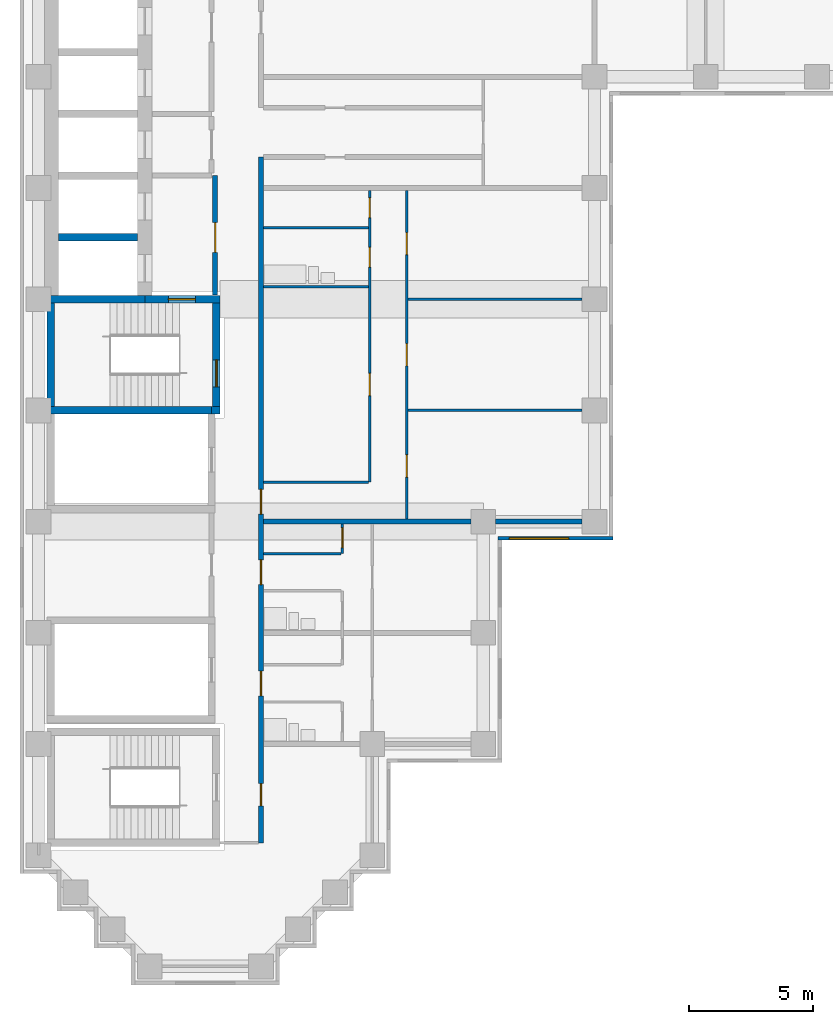
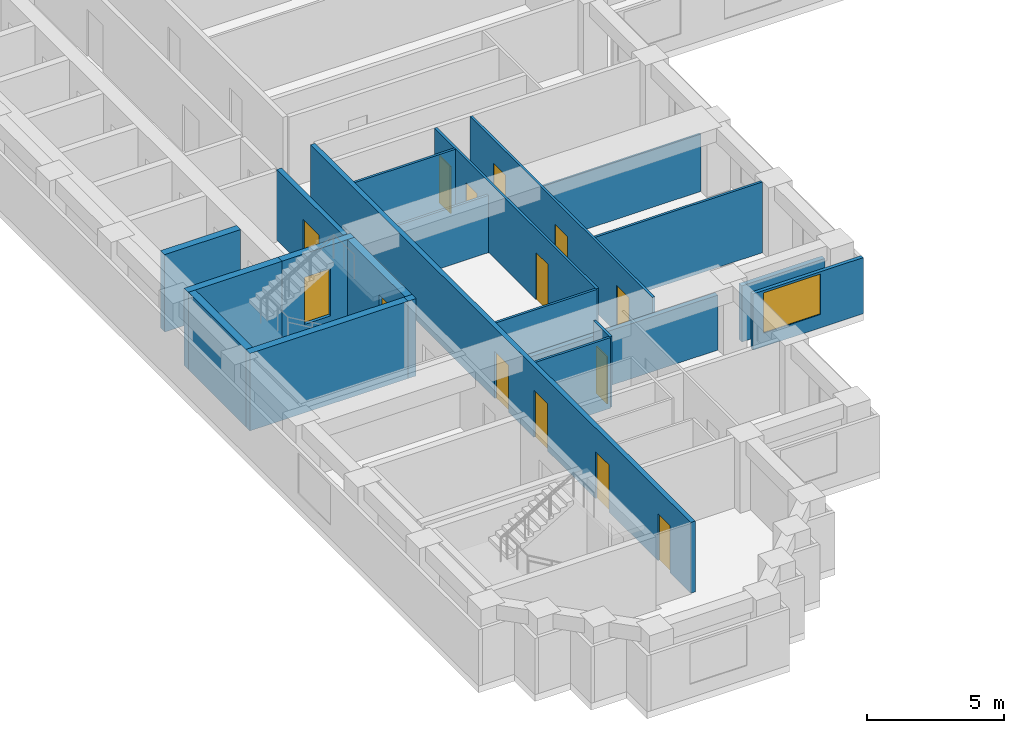
# One storey, part 3 of 12: 21 walls, 14 doors, 1 window, 15 openings.
"""IFC4 building model written with IfcOpenShell, lengths in metres."""

import ifcopenshell
import ifcopenshell.guid

model = None  # the IFC model being written
_history = None  # IfcOwnerHistory: only IFC2X3 demands one
_inside = {}  # id of a spatial element -> (the spatial element, [elements in it])
_under = {}  # id of a project, library or spatial element -> (it, [spatial elements below it])
_declared = {}  # id of a project -> (the project, [libraries it declares])
_typed = {}  # id of a type object -> (the type object, [elements of that type])
_made_of = {}  # id of a material, layer set ... -> (it, [elements and type objects made of it])


def new_model(schema):
    """Start an empty IFC model of exactly this schema.

    Asked for "IFC4X3", IfcOpenShell would pick the latest addendum, in which some entities
    have other attributes; the version numbers below select the first issue.
    IFC2X3 requires an IfcOwnerHistory on every rooted entity: one is made here for all.
    """
    global model, _history
    if schema == "IFC4X3":
        model = ifcopenshell.file(schema_version=(4, 3, 0, 0))
    else:
        model = ifcopenshell.file(schema=schema)
    _inside.clear()
    _under.clear()
    _declared.clear()
    _typed.clear()
    _made_of.clear()
    _history = None
    if model.schema == "IFC2X3":
        org = make("IfcOrganization", Name="unknown")
        user = make(
            "IfcPersonAndOrganization",
            ThePerson=make("IfcPerson", FamilyName="unknown"),
            TheOrganization=org,
        )
        app = make(
            "IfcApplication",
            ApplicationDeveloper=org,
            Version="unknown",
            ApplicationFullName="unknown",
            ApplicationIdentifier="unknown",
        )
        _history = make(
            "IfcOwnerHistory",
            OwningUser=user,
            OwningApplication=app,
            ChangeAction="ADDED",
            CreationDate=0,
        )
    return model


def make(cls, **values):
    """One entity of the class cls with the attributes given. An attribute that is None is left unset."""
    return model.create_entity(
        cls, **{name: value for name, value in values.items() if value is not None}
    )


def rooted(cls, **values):
    """An entity with a GlobalId (a new one), such as an element, a storey or a relation."""
    return make(cls, GlobalId=ifcopenshell.guid.new(), OwnerHistory=_history, **values)


def si_unit(unit_type, name, prefix=None):
    """IfcSIUnit, for example si_unit("LENGTHUNIT", "METRE", prefix="MILLI")."""
    return make("IfcSIUnit", UnitType=unit_type, Prefix=prefix, Name=name)


def assignment(units):
    """IfcUnitAssignment: the units of a project."""
    return None if units is None else make("IfcUnitAssignment", Units=units)


def point(xyz):
    """IfcCartesianPoint."""
    return None if xyz is None else make("IfcCartesianPoint", Coordinates=xyz)


def direction(xyz):
    """IfcDirection."""
    return None if xyz is None else make("IfcDirection", DirectionRatios=xyz)


def frame(location, z_axis=None, x_axis=None):
    """IfcAxis2Placement3D, a coordinate frame: its origin and axes. An axis left out is left unset."""
    return make(
        "IfcAxis2Placement3D",
        Location=point(location),
        Axis=direction(z_axis),
        RefDirection=direction(x_axis),
    )


def frame_2d(location, x_axis=None):
    """IfcAxis2Placement2D, a coordinate frame in the plane: its origin and x axis."""
    return make(
        "IfcAxis2Placement2D", Location=point(location), RefDirection=direction(x_axis)
    )


def origin():
    """The frame at (0, 0, 0) with its axes left unset."""
    return frame((0.0, 0.0, 0.0))


def place(relative_to, where):
    """IfcLocalPlacement: puts the frame where relative to a parent placement (None: the world)."""
    return make(
        "IfcLocalPlacement", PlacementRelTo=relative_to, RelativePlacement=where
    )


def context(
    kind, dimensions, precision=None, world=None, true_north=None, identifier=None
):
    """IfcGeometricRepresentationContext, for example the 3D "Model" context."""
    return make(
        "IfcGeometricRepresentationContext",
        ContextIdentifier=identifier,
        ContextType=kind,
        CoordinateSpaceDimension=dimensions,
        Precision=precision,
        WorldCoordinateSystem=world,
        TrueNorth=true_north,
    )


def subcontext(parent, identifier, kind, view, scale=None):
    """IfcGeometricRepresentationSubContext, for example "Body" below "Model"."""
    return make(
        "IfcGeometricRepresentationSubContext",
        ContextIdentifier=identifier,
        ContextType=kind,
        ParentContext=parent,
        TargetScale=scale,
        TargetView=view,
    )


def project(units=None, contexts=None):
    """IfcProject with its units and contexts."""
    return rooted(
        "IfcProject",
        Name="project",
        RepresentationContexts=contexts,
        UnitsInContext=assignment(units),
    )


def spatial(cls, under=None, at=None, **own):
    """A site, building, storey or space (cls), placed at a placement, below another one or the project."""
    s = rooted(cls, ObjectPlacement=at, **own)
    if under is not None:
        _under.setdefault(under.id(), (under, []))[1].append(s)
    return s


def profile(cls, at=None, kind="AREA", **sizes):
    """A parametric profile (cls). Its sizes go by their IFC names, for example OverallWidth=200.0."""
    return make(cls, ProfileType=kind, Position=at, **sizes)


def rectangle(**sizes):
    """IfcRectangleProfileDef."""
    return profile("IfcRectangleProfileDef", **sizes)


def extrude(swept, where, along, depth):
    """IfcExtrudedAreaSolid: the profile swept, set in the frame where, extruded along a direction by depth."""
    return make(
        "IfcExtrudedAreaSolid",
        SweptArea=swept,
        Position=where,
        ExtrudedDirection=direction(along),
        Depth=depth,
    )


def shape(context_of_items, identifier, shape_type, items):
    """IfcShapeRepresentation: the items that make up one representation, for example the "Body"."""
    return make(
        "IfcShapeRepresentation",
        ContextOfItems=context_of_items,
        RepresentationIdentifier=identifier,
        RepresentationType=shape_type,
        Items=items,
    )


def material(Name=None, Category=None):
    """IfcMaterial."""
    return make("IfcMaterial", Name=Name, Category=Category)


def layer(
    of_material, thickness, ventilated=None, Name=None, Category=None, Priority=None
):
    """IfcMaterialLayer: one layer of a wall or slab, of a material (None: an air gap)."""
    return make(
        "IfcMaterialLayer",
        Material=of_material,
        LayerThickness=thickness,
        IsVentilated=ventilated,
        Name=Name,
        Category=Category,
        Priority=Priority,
    )


def layer_set(layers, Name=None):
    """IfcMaterialLayerSet."""
    return make("IfcMaterialLayerSet", MaterialLayers=layers, LayerSetName=Name)


def made_of(thing, what):
    """Note that an element or type object is made of a material, layer set ...; save() writes the relation."""
    if what is not None:
        _made_of.setdefault(what.id(), (what, []))[1].append(thing)
    return thing


def type_object(cls, material=None, **own):
    """A type object (cls), such as IfcWallType, which elements share."""
    return made_of(rooted(cls, **own), material)


def element(
    cls,
    number,
    at=None,
    inside=None,
    cuts=None,
    type_object=None,
    material=None,
    context=None,
    identifier="Body",
    shape_type=None,
    held_by="IfcProductDefinitionShape",
    body=None,
    shapes=None,
    **own,
):
    """One element of the class cls, such as IfcWall. Its Tag is "e" and its number.

    at: its placement. inside: the storey or other place that contains it. cuts: it is an
    opening in that element (IfcRelVoidsElement). A single representation is given by context,
    identifier, shape_type and body (its items); several are given by shapes. held_by: the class
    of the entity that holds the representations. save() writes the other relations.
    """
    e = rooted(cls, Tag="e%d" % number, ObjectPlacement=at, **own)
    if body is not None:
        shapes = [shape(context, identifier, shape_type, body)]
    if shapes is not None:
        e.Representation = make(held_by, Representations=shapes)
    if inside is not None:
        _inside.setdefault(inside.id(), (inside, []))[1].append(e)
    if cuts is not None:
        rooted(
            "IfcRelVoidsElement", RelatingBuildingElement=cuts, RelatedOpeningElement=e
        )
    if type_object is not None:
        _typed.setdefault(type_object.id(), (type_object, []))[1].append(e)
    return made_of(e, material)


def fill(opening, filler):
    """IfcRelFillsElement: the door or window that sits in an opening."""
    return rooted(
        "IfcRelFillsElement",
        RelatingOpeningElement=opening,
        RelatedBuildingElement=filler,
    )


def aggregate(whole, parts):
    """IfcRelAggregates: a whole, such as a stair, and the parts it consists of."""
    return rooted("IfcRelAggregates", RelatingObject=whole, RelatedObjects=parts)


def save(model, path):
    """Write the relations noted so far, then the file.

    IfcRelAggregates (storeys below a building ...), IfcRelContainedInSpatialStructure (elements
    in a storey), IfcRelDefinesByType, IfcRelAssociatesMaterial and IfcRelDeclares: one each for
    every whole, place, type object, material and project.
    """
    for whole, parts in _under.values():
        aggregate(whole, parts)
    for where, things in _inside.values():
        rooted(
            "IfcRelContainedInSpatialStructure",
            RelatedElements=things,
            RelatingStructure=where,
        )
    for kind, things in _typed.values():
        rooted("IfcRelDefinesByType", RelatedObjects=things, RelatingType=kind)
    for what, things in _made_of.values():
        rooted("IfcRelAssociatesMaterial", RelatedObjects=things, RelatingMaterial=what)
    for by, libraries in _declared.values():
        rooted("IfcRelDeclares", RelatingContext=by, RelatedDefinitions=libraries)
    model.write(path)


model = new_model("IFC4")

# Units and contexts
model_context = context("Model", 3, precision=1e-05, world=origin(), true_north=direction((0.0, 1.0)))
body_context = subcontext(model_context, "Body", "Model", "MODEL_VIEW")
ifc_project = project(units=[si_unit("LENGTHUNIT", "METRE"), si_unit("AREAUNIT", "SQUARE_METRE"), si_unit("VOLUMEUNIT", "CUBIC_METRE"), si_unit("PLANEANGLEUNIT", "RADIAN"), si_unit("MASSUNIT", "GRAM", prefix="KILO")], contexts=[model_context])

# Site, building, storey
site_placement = place(None, origin())
site = spatial("IfcSite", under=ifc_project, at=site_placement, CompositionType="ELEMENT")
building_placement = place(site_placement, origin())
building = spatial("IfcBuilding", under=site, at=building_placement, Name="Firuza Court", CompositionType="ELEMENT")
storey_placement = place(building_placement, frame((0.0, 0.0, 170.0)))
storey = spatial("IfcBuildingStorey", under=building, at=storey_placement, Name="L43", CompositionType="ELEMENT", Elevation=170.0)

# Walls
ifc_material_1 = material(Name="Moisture-resistant gypsum board partition")
ifc_layer_1 = layer(ifc_material_1, 0.10009765625)
ifc_layer_set_1 = layer_set([ifc_layer_1], Name="Moisture-resistant gypsum board partition")
wall_type_1 = type_object("IfcWallType", Name="Bathroom partition 100", PredefinedType="PLUMBINGWALL", material=ifc_layer_set_1)
wall_1_placement = place(storey_placement, frame((9.10009765625, 27.5, 0.0), z_axis=(0.0, 0.0, 1.0), x_axis=(1.0, 0.0, 0.0)))
element("IfcWall", 1, at=wall_1_placement, inside=storey, type_object=wall_type_1, Name="Bathroom partition 100 L43", PredefinedType="PLUMBINGWALL", context=body_context, shape_type="SweptSolid", body=[
    extrude(rectangle(XDim=4.25, YDim=0.10009765625, at=frame_2d((2.125, 0.0))), origin(), (0.0, 0.0, 1.0), 2.550048828125),
])
wall_2_placement = place(storey_placement, frame((9.10009765625, 29.89990234375, 0.0), z_axis=(0.0, 0.0, 1.0), x_axis=(1.0, 0.0, 0.0)))
element("IfcWall", 2, at=wall_2_placement, inside=storey, type_object=wall_type_1, Name="Bathroom partition 100 L43", PredefinedType="PLUMBINGWALL", context=body_context, shape_type="SweptSolid", body=[
    extrude(rectangle(XDim=4.25, YDim=0.10009765625, at=frame_2d((2.125, 0.0))), origin(), (0.0, 0.0, 1.0), 3.14990234375),
])
ifc_material_2 = material(Name="Concrete C60/75", Category="concrete")
ifc_layer_2 = layer(ifc_material_2, 0.300048828125)
ifc_layer_set_2 = layer_set([ifc_layer_2], Name="Concrete C60/75")
wall_type_2 = type_object("IfcWallType", Name="Core wall 300 C60/75", PredefinedType="SHEAR", material=ifc_layer_set_2)
wall_3_placement = place(storey_placement, frame((0.35009765625, 22.5, -0.300048828125), z_axis=(0.0, 0.0, 1.0), x_axis=(1.0, 0.0, 0.0)))
element("IfcWall", 3, at=wall_3_placement, inside=storey, type_object=wall_type_2, Name="Core wall riser L43", PredefinedType="SHEAR", context=body_context, shape_type="SweptSolid", body=[
    extrude(rectangle(XDim=6.64990234375, YDim=0.300048828125, at=frame_2d((3.324951171875, 0.0))), origin(), (0.0, 0.0, 1.0), 3.449951171875),
])
wall_4_placement = place(storey_placement, frame((0.35009765625, 27.0, -0.300048828125), z_axis=(0.0, 0.0, 1.0), x_axis=(1.0, 0.0, 0.0)))
element("IfcWall", 4, at=wall_4_placement, inside=storey, type_object=wall_type_2, Name="Core wall lift shaft L43", PredefinedType="SHEAR", context=body_context, shape_type="SweptSolid", body=[
    extrude(rectangle(XDim=3.949951171875, YDim=0.300048828125, at=frame_2d((1.97509765625, 0.0))), origin(), (0.0, 0.0, 1.0), 3.449951171875),
])
wall_5_placement = place(storey_placement, frame((0.5, 22.64990234375, -0.300048828125), z_axis=(0.0, 0.0, 1.0), x_axis=(0.0, 1.0, 0.0)))
element("IfcWall", 5, at=wall_5_placement, inside=storey, type_object=wall_type_2, Name="Core wall stair L43", PredefinedType="SHEAR", context=body_context, shape_type="SweptSolid", body=[
    extrude(rectangle(XDim=4.2001953125, YDim=0.300048828125, at=frame_2d((2.10009765625, 0.0))), origin(), (0.0, 0.0, 1.0), 3.449951171875),
])
wall_6_placement = place(storey_placement, frame((0.800048828125, 29.5, -0.300048828125), z_axis=(0.0, 0.0, 1.0), x_axis=(1.0, 0.0, 0.0)))
element("IfcWall", 6, at=wall_6_placement, inside=storey, type_object=wall_type_2, Name="Core wall lift shaft L43", PredefinedType="SHEAR", context=body_context, shape_type="SweptSolid", body=[
    extrude(rectangle(XDim=3.199951171875, YDim=0.300048828125, at=frame_2d((1.60009765625, 0.0))), origin(), (0.0, 0.0, 1.0), 3.449951171875),
])

# Wall, opening, door
wall_7_placement = place(storey_placement, frame((4.300048828125, 27.0, -0.300048828125), z_axis=(0.0, 0.0, 1.0), x_axis=(1.0, 0.0, 0.0)))
wall_7 = element("IfcWall", 7, at=wall_7_placement, inside=storey, type_object=wall_type_2, Name="Core wall stair L43", PredefinedType="SHEAR", context=body_context, shape_type="SweptSolid", body=[
    extrude(rectangle(XDim=3.050048828125, YDim=0.300048828125, at=frame_2d((1.52490234375, 0.0))), origin(), (0.0, 0.0, 1.0), 3.449951171875),
])
opening_1_placement = place(wall_7_placement, frame((0.949951171875, 0.0, 0.300048828125)))
opening_1 = element("IfcOpeningElement", 8, at=opening_1_placement, cuts=wall_7, Name="Opening D43013", PredefinedType="OPENING", context=body_context, shape_type="SweptSolid", body=[
    extrude(rectangle(XDim=1.10009765625, YDim=2.10009765625, at=frame_2d((0.550048828125, 1.050048828125))), frame((0.0, 0.162109375, 0.0), z_axis=(0.0, -1.0, 0.0), x_axis=(1.0, 0.0, 0.0)), (0.0, 0.0, 1.0), 0.323974609375),
])
ifc_material_3 = material(Name="Timber door leaf in hardwood frame", Category="wood")
door_type_1 = type_object("IfcDoorType", Name="Stair door 1100", OperationType="SINGLE_SWING_LEFT", PredefinedType="DOOR", material=ifc_material_3)
door_1_placement = place(opening_1_placement, frame((1.10009765625, 0.0, 0.0), z_axis=(0.0, 0.0, 1.0), x_axis=(-1.0, 0.0, 0.0)))
door_1 = element("IfcDoor", 9, at=door_1_placement, inside=storey, type_object=door_type_1, Name="Fire-fighting lobby door", OperationType="SINGLE_SWING_LEFT", OverallHeight=2.10009765625, OverallWidth=1.10009765625, PredefinedType="DOOR", context=body_context, shape_type="SweptSolid", body=[
    extrude(rectangle(XDim=1.10009765625, YDim=2.10009765625, at=frame_2d((0.550048828125, 1.050048828125))), frame((0.0, 0.02490234375, 0.0), z_axis=(0.0, -1.0, 0.0), x_axis=(1.0, 0.0, 0.0)), (0.0, 0.0, 1.0), 0.050048828125),
])
fill(opening_1, door_1)

# Wall
wall_8_placement = place(storey_placement, frame((7.0, 22.5, -0.300048828125), z_axis=(0.0, 0.0, 1.0), x_axis=(1.0, 0.0, 0.0)))
element("IfcWall", 10, at=wall_8_placement, inside=storey, type_object=wall_type_2, Name="Core wall stair L43", PredefinedType="SHEAR", context=body_context, shape_type="SweptSolid", body=[
    extrude(rectangle(XDim=0.35009765625, YDim=0.300048828125, at=frame_2d((0.175048828125, 0.0))), origin(), (0.0, 0.0, 1.0), 3.449951171875),
])

# Wall, opening, door
wall_9_placement = place(storey_placement, frame((7.199951171875, 22.64990234375, -0.300048828125), z_axis=(0.0, 0.0, 1.0), x_axis=(0.0, 1.0, 0.0)))
wall_9 = element("IfcWall", 11, at=wall_9_placement, inside=storey, type_object=wall_type_2, Name="Core wall stair L43", PredefinedType="SHEAR", context=body_context, shape_type="SweptSolid", body=[
    extrude(rectangle(XDim=4.2001953125, YDim=0.300048828125, at=frame_2d((2.10009765625, 0.0))), origin(), (0.0, 0.0, 1.0), 3.449951171875),
])
opening_2_placement = place(wall_9_placement, frame((0.800048828125, 0.0, 0.300048828125)))
opening_2 = element("IfcOpeningElement", 12, at=opening_2_placement, cuts=wall_9, Name="Opening D43014", PredefinedType="OPENING", context=body_context, shape_type="SweptSolid", body=[
    extrude(rectangle(XDim=1.10009765625, YDim=2.10009765625, at=frame_2d((0.550048828125, 1.050048828125))), frame((0.0, 0.162109375, 0.0), z_axis=(0.0, -1.0, 0.0), x_axis=(1.0, 0.0, 0.0)), (0.0, 0.0, 1.0), 0.323974609375),
])
door_2_placement = place(opening_2_placement, origin())
door_2 = element("IfcDoor", 13, at=door_2_placement, inside=storey, type_object=door_type_1, Name="Stair door S2", OperationType="SINGLE_SWING_LEFT", OverallHeight=2.10009765625, OverallWidth=1.10009765625, PredefinedType="DOOR", context=body_context, shape_type="SweptSolid", body=[
    extrude(rectangle(XDim=1.10009765625, YDim=2.10009765625, at=frame_2d((0.550048828125, 1.050048828125))), frame((0.0, 0.02490234375, 0.0), z_axis=(0.0, -1.0, 0.0), x_axis=(1.0, 0.0, 0.0)), (0.0, 0.0, 1.0), 0.050048828125),
])
fill(opening_2, door_2)

# Wall, openings, doors
ifc_material_4 = material(Name="Blockwork, plastered both sides", Category="masonry")
ifc_layer_3 = layer(ifc_material_4, 0.199951171875)
ifc_layer_set_3 = layer_set([ifc_layer_3], Name="Blockwork, plastered both sides")
wall_type_3 = type_object("IfcWallType", Name="Corridor wall 200", PredefinedType="PARTITIONING", material=ifc_layer_set_3)
wall_10_placement = place(storey_placement, frame((9.0, 5.0, 0.0), z_axis=(0.0, 0.0, 1.0), x_axis=(0.0, 1.0, 0.0)))
wall_10 = element("IfcWall", 14, at=wall_10_placement, inside=storey, type_object=wall_type_3, Name="Corridor wall 200 L43", PredefinedType="PARTITIONING", context=body_context, shape_type="SweptSolid", body=[
    extrude(rectangle(XDim=27.75, YDim=0.199951171875, at=frame_2d((13.875, 0.0))), origin(), (0.0, 0.0, 1.0), 3.14990234375),
])
opening_3_placement = place(wall_10_placement, frame((13.300048828125, 0.0, 0.0)))
opening_3 = element("IfcOpeningElement", 15, at=opening_3_placement, cuts=wall_10, Name="Opening D43018", PredefinedType="OPENING", context=body_context, shape_type="SweptSolid", body=[
    extrude(rectangle(XDim=1.0, YDim=2.10009765625, at=frame_2d((0.5, 1.050048828125))), frame((0.0, 0.11181640625, 0.0), z_axis=(0.0, -1.0, 0.0), x_axis=(1.0, 0.0, 0.0)), (0.0, 0.0, 1.0), 0.223876953125),
])
opening_4_placement = place(wall_10_placement, frame((10.449951171875, 0.0, 0.0)))
opening_4 = element("IfcOpeningElement", 16, at=opening_4_placement, cuts=wall_10, Name="Opening D43019", PredefinedType="OPENING", context=body_context, shape_type="SweptSolid", body=[
    extrude(rectangle(XDim=1.0, YDim=2.10009765625, at=frame_2d((0.5, 1.050048828125))), frame((0.0, 0.11181640625, 0.0), z_axis=(0.0, -1.0, 0.0), x_axis=(1.0, 0.0, 0.0)), (0.0, 0.0, 1.0), 0.223876953125),
])
opening_5_placement = place(wall_10_placement, frame((5.949951171875, 0.0, 0.0)))
opening_5 = element("IfcOpeningElement", 17, at=opening_5_placement, cuts=wall_10, Name="Opening D43020", PredefinedType="OPENING", context=body_context, shape_type="SweptSolid", body=[
    extrude(rectangle(XDim=1.0, YDim=2.10009765625, at=frame_2d((0.5, 1.050048828125))), frame((0.0, 0.11181640625, 0.0), z_axis=(0.0, -1.0, 0.0), x_axis=(1.0, 0.0, 0.0)), (0.0, 0.0, 1.0), 0.223876953125),
])
opening_6_placement = place(wall_10_placement, frame((1.5, 0.0, 0.0)))
opening_6 = element("IfcOpeningElement", 18, at=opening_6_placement, cuts=wall_10, Name="Opening D43021", PredefinedType="OPENING", context=body_context, shape_type="SweptSolid", body=[
    extrude(rectangle(XDim=0.89990234375, YDim=2.10009765625, at=frame_2d((0.449951171875, 1.050048828125))), frame((0.0, 0.11181640625, 0.0), z_axis=(0.0, -1.0, 0.0), x_axis=(1.0, 0.0, 0.0)), (0.0, 0.0, 1.0), 0.223876953125),
])
ifc_material_5 = material(Name="Timber door leaf in hardwood frame", Category="wood")
door_type_2 = type_object("IfcDoorType", Name="Flat entrance door 1000", OperationType="SINGLE_SWING_LEFT", PredefinedType="DOOR", material=ifc_material_5)
door_3_placement = place(opening_3_placement, origin())
door_3 = element("IfcDoor", 19, at=door_3_placement, inside=storey, type_object=door_type_2, Name="Flat entrance door", OperationType="SINGLE_SWING_LEFT", OverallHeight=2.10009765625, OverallWidth=1.0, PredefinedType="DOOR", context=body_context, shape_type="SweptSolid", body=[
    extrude(rectangle(XDim=1.0, YDim=2.10009765625, at=frame_2d((0.5, 1.050048828125))), frame((0.0, 0.02490234375, 0.0), z_axis=(0.0, -1.0, 0.0), x_axis=(1.0, 0.0, 0.0)), (0.0, 0.0, 1.0), 0.050048828125),
])
fill(opening_3, door_3)
door_4_placement = place(opening_4_placement, origin())
door_4 = element("IfcDoor", 20, at=door_4_placement, inside=storey, type_object=door_type_2, Name="Flat entrance door", OperationType="SINGLE_SWING_LEFT", OverallHeight=2.10009765625, OverallWidth=1.0, PredefinedType="DOOR", context=body_context, shape_type="SweptSolid", body=[
    extrude(rectangle(XDim=1.0, YDim=2.10009765625, at=frame_2d((0.5, 1.050048828125))), frame((0.0, 0.02490234375, 0.0), z_axis=(0.0, -1.0, 0.0), x_axis=(1.0, 0.0, 0.0)), (0.0, 0.0, 1.0), 0.050048828125),
])
fill(opening_4, door_4)
door_5_placement = place(opening_5_placement, origin())
door_5 = element("IfcDoor", 21, at=door_5_placement, inside=storey, type_object=door_type_2, Name="Flat entrance door", OperationType="SINGLE_SWING_LEFT", OverallHeight=2.10009765625, OverallWidth=1.0, PredefinedType="DOOR", context=body_context, shape_type="SweptSolid", body=[
    extrude(rectangle(XDim=1.0, YDim=2.10009765625, at=frame_2d((0.5, 1.050048828125))), frame((0.0, 0.02490234375, 0.0), z_axis=(0.0, -1.0, 0.0), x_axis=(1.0, 0.0, 0.0)), (0.0, 0.0, 1.0), 0.050048828125),
])
fill(opening_5, door_5)
ifc_material_6 = material(Name="Timber door leaf in hardwood frame", Category="wood")
door_type_3 = type_object("IfcDoorType", Name="Room door 900 EI 30", OperationType="SINGLE_SWING_LEFT", PredefinedType="DOOR", material=ifc_material_6)
door_6_placement = place(opening_6_placement, origin())
door_6 = element("IfcDoor", 22, at=door_6_placement, inside=storey, type_object=door_type_3, Name="Residents' lounge door", OperationType="SINGLE_SWING_LEFT", OverallHeight=2.10009765625, OverallWidth=0.89990234375, PredefinedType="DOOR", context=body_context, shape_type="SweptSolid", body=[
    extrude(rectangle(XDim=0.89990234375, YDim=2.10009765625, at=frame_2d((0.449951171875, 1.050048828125))), frame((0.0, 0.02490234375, 0.0), z_axis=(0.0, -1.0, 0.0), x_axis=(1.0, 0.0, 0.0)), (0.0, 0.0, 1.0), 0.050048828125),
])
fill(opening_6, door_6)

# Wall
ifc_material_7 = material(Name="Timber stud partition, plasterboard both sides", Category="wood")
ifc_layer_4 = layer(ifc_material_7, 0.10009765625)
ifc_layer_set_4 = layer_set([ifc_layer_4], Name="Timber stud partition, plasterboard both sides")
wall_type_4 = type_object("IfcWallType", Name="Partition wall 100", PredefinedType="PARTITIONING", material=ifc_layer_set_4)
wall_11_placement = place(storey_placement, frame((9.10009765625, 16.699951171875, 0.0), z_axis=(0.0, 0.0, 1.0), x_axis=(1.0, 0.0, 0.0)))
element("IfcWall", 23, at=wall_11_placement, inside=storey, type_object=wall_type_4, Name="Partition wall 100 L43", PredefinedType="PARTITIONING", context=body_context, shape_type="SweptSolid", body=[
    extrude(rectangle(XDim=3.14990234375, YDim=0.10009765625, at=frame_2d((1.574951171875, 0.0))), origin(), (0.0, 0.0, 1.0), 3.14990234375),
])

# Wall, opening, door
wall_12_placement = place(storey_placement, frame((12.300048828125, 16.699951171875, 0.0), z_axis=(0.0, 0.0, 1.0), x_axis=(0.0, 1.0, 0.0)))
wall_12 = element("IfcWall", 24, at=wall_12_placement, inside=storey, type_object=wall_type_4, Name="Partition wall 100 L43", PredefinedType="PARTITIONING", context=body_context, shape_type="SweptSolid", body=[
    extrude(rectangle(XDim=1.199951171875, YDim=0.10009765625, at=frame_2d((0.60009765625, 0.0))), origin(), (0.0, 0.0, 1.0), 3.14990234375),
])
opening_7_placement = place(wall_12_placement, frame((0.25, 0.0, 0.0)))
opening_7 = element("IfcOpeningElement", 25, at=opening_7_placement, cuts=wall_12, Name="Opening D43028", PredefinedType="OPENING", context=body_context, shape_type="SweptSolid", body=[
    extrude(rectangle(XDim=0.800048828125, YDim=2.10009765625, at=frame_2d((0.39990234375, 1.050048828125))), frame((0.0, 0.06201171875, 0.0), z_axis=(0.0, -1.0, 0.0), x_axis=(1.0, 0.0, 0.0)), (0.0, 0.0, 1.0), 0.1240234375),
])
ifc_material_8 = material(Name="Timber door leaf in hardwood frame", Category="wood")
door_type_4 = type_object("IfcDoorType", Name="Room door 800", OperationType="SINGLE_SWING_LEFT", PredefinedType="DOOR", material=ifc_material_8)
door_7_placement = place(opening_7_placement, origin())
door_7 = element("IfcDoor", 26, at=door_7_placement, inside=storey, type_object=door_type_4, Name="Kitchen door", OperationType="SINGLE_SWING_LEFT", OverallHeight=2.10009765625, OverallWidth=0.800048828125, PredefinedType="DOOR", context=body_context, shape_type="SweptSolid", body=[
    extrude(rectangle(XDim=0.800048828125, YDim=2.10009765625, at=frame_2d((0.39990234375, 1.050048828125))), frame((0.0, 0.02490234375, 0.0), z_axis=(0.0, -1.0, 0.0), x_axis=(1.0, 0.0, 0.0)), (0.0, 0.0, 1.0), 0.050048828125),
])
fill(opening_7, door_7)

# Wall, openings, doors
wall_13_placement = place(storey_placement, frame((14.89990234375, 18.10009765625, 0.0), z_axis=(0.0, 0.0, 1.0), x_axis=(0.0, 1.0, 0.0)))
wall_13 = element("IfcWall", 27, at=wall_13_placement, inside=storey, type_object=wall_type_4, Name="Partition wall 100 L43", PredefinedType="PARTITIONING", context=body_context, shape_type="SweptSolid", body=[
    extrude(rectangle(XDim=13.2998046875, YDim=0.10009765625, at=frame_2d((6.64990234375, 0.0))), origin(), (0.0, 0.0, 1.0), 3.14990234375),
])
opening_8_placement = place(wall_13_placement, frame((1.699951171875, 0.0, 0.0)))
opening_8 = element("IfcOpeningElement", 28, at=opening_8_placement, cuts=wall_13, Name="Opening D43029", PredefinedType="OPENING", context=body_context, shape_type="SweptSolid", body=[
    extrude(rectangle(XDim=0.89990234375, YDim=2.10009765625, at=frame_2d((0.449951171875, 1.050048828125))), frame((0.0, 0.06201171875, 0.0), z_axis=(0.0, -1.0, 0.0), x_axis=(1.0, 0.0, 0.0)), (0.0, 0.0, 1.0), 0.1240234375),
])
opening_9_placement = place(wall_13_placement, frame((6.199951171875, 0.0, 0.0)))
opening_9 = element("IfcOpeningElement", 29, at=opening_9_placement, cuts=wall_13, Name="Opening D43030", PredefinedType="OPENING", context=body_context, shape_type="SweptSolid", body=[
    extrude(rectangle(XDim=0.89990234375, YDim=2.10009765625, at=frame_2d((0.449951171875, 1.050048828125))), frame((0.0, 0.06201171875, 0.0), z_axis=(0.0, -1.0, 0.0), x_axis=(1.0, 0.0, 0.0)), (0.0, 0.0, 1.0), 0.1240234375),
])
opening_10_placement = place(wall_13_placement, frame((10.699951171875, 0.0, 0.0)))
opening_10 = element("IfcOpeningElement", 30, at=opening_10_placement, cuts=wall_13, Name="Opening D43031", PredefinedType="OPENING", context=body_context, shape_type="SweptSolid", body=[
    extrude(rectangle(XDim=0.89990234375, YDim=2.10009765625, at=frame_2d((0.449951171875, 1.050048828125))), frame((0.0, 0.06201171875, 0.0), z_axis=(0.0, -1.0, 0.0), x_axis=(1.0, 0.0, 0.0)), (0.0, 0.0, 1.0), 0.1240234375),
])
ifc_material_9 = material(Name="Timber door leaf in hardwood frame", Category="wood")
door_type_5 = type_object("IfcDoorType", Name="Room door 900", OperationType="SINGLE_SWING_LEFT", PredefinedType="DOOR", material=ifc_material_9)
door_8_placement = place(opening_8_placement, frame((0.89990234375, 0.0, 0.0), z_axis=(0.0, 0.0, 1.0), x_axis=(-1.0, 0.0, 0.0)))
door_8 = element("IfcDoor", 31, at=door_8_placement, inside=storey, type_object=door_type_5, Name="Living room door", OperationType="SINGLE_SWING_RIGHT", OverallHeight=2.10009765625, OverallWidth=0.89990234375, PredefinedType="DOOR", context=body_context, shape_type="SweptSolid", body=[
    extrude(rectangle(XDim=0.89990234375, YDim=2.10009765625, at=frame_2d((0.449951171875, 1.050048828125))), frame((0.0, 0.02490234375, 0.0), z_axis=(0.0, -1.0, 0.0), x_axis=(1.0, 0.0, 0.0)), (0.0, 0.0, 1.0), 0.050048828125),
])
fill(opening_8, door_8)
door_9_placement = place(opening_9_placement, frame((0.89990234375, 0.0, 0.0), z_axis=(0.0, 0.0, 1.0), x_axis=(-1.0, 0.0, 0.0)))
door_9 = element("IfcDoor", 32, at=door_9_placement, inside=storey, type_object=door_type_5, Name="Bedroom door", OperationType="SINGLE_SWING_RIGHT", OverallHeight=2.10009765625, OverallWidth=0.89990234375, PredefinedType="DOOR", context=body_context, shape_type="SweptSolid", body=[
    extrude(rectangle(XDim=0.89990234375, YDim=2.10009765625, at=frame_2d((0.449951171875, 1.050048828125))), frame((0.0, 0.02490234375, 0.0), z_axis=(0.0, -1.0, 0.0), x_axis=(1.0, 0.0, 0.0)), (0.0, 0.0, 1.0), 0.050048828125),
])
fill(opening_9, door_9)
door_10_placement = place(opening_10_placement, frame((0.89990234375, 0.0, 0.0), z_axis=(0.0, 0.0, 1.0), x_axis=(-1.0, 0.0, 0.0)))
door_10 = element("IfcDoor", 33, at=door_10_placement, inside=storey, type_object=door_type_5, Name="Bedroom door", OperationType="SINGLE_SWING_RIGHT", OverallHeight=2.10009765625, OverallWidth=0.89990234375, PredefinedType="DOOR", context=body_context, shape_type="SweptSolid", body=[
    extrude(rectangle(XDim=0.89990234375, YDim=2.10009765625, at=frame_2d((0.449951171875, 1.050048828125))), frame((0.0, 0.02490234375, 0.0), z_axis=(0.0, -1.0, 0.0), x_axis=(1.0, 0.0, 0.0)), (0.0, 0.0, 1.0), 0.050048828125),
])
fill(opening_10, door_10)

# Wall
wall_14_placement = place(storey_placement, frame((9.10009765625, 19.60009765625, 0.0), z_axis=(0.0, 0.0, 1.0), x_axis=(1.0, 0.0, 0.0)))
element("IfcWall", 34, at=wall_14_placement, inside=storey, type_object=wall_type_4, Name="Partition wall 100 L43", PredefinedType="PARTITIONING", context=body_context, shape_type="SweptSolid", body=[
    extrude(rectangle(XDim=4.25, YDim=0.10009765625, at=frame_2d((2.125, 0.0))), origin(), (0.0, 0.0, 1.0), 3.14990234375),
])

# Wall, openings, doors
wall_15_placement = place(storey_placement, frame((13.39990234375, 19.60009765625, 0.0), z_axis=(0.0, 0.0, 1.0), x_axis=(0.0, 1.0, 0.0)))
wall_15 = element("IfcWall", 35, at=wall_15_placement, inside=storey, type_object=wall_type_4, Name="Partition wall 100 L43", PredefinedType="PARTITIONING", context=body_context, shape_type="SweptSolid", body=[
    extrude(rectangle(XDim=11.7998046875, YDim=0.10009765625, at=frame_2d((5.89990234375, 0.0))), origin(), (0.0, 0.0, 1.0), 3.14990234375),
])
opening_11_placement = place(wall_15_placement, frame((8.699951171875, 0.0, 0.0)))
opening_11 = element("IfcOpeningElement", 36, at=opening_11_placement, cuts=wall_15, Name="Opening D43032", PredefinedType="OPENING", context=body_context, shape_type="SweptSolid", body=[
    extrude(rectangle(XDim=0.800048828125, YDim=2.10009765625, at=frame_2d((0.39990234375, 1.050048828125))), frame((0.0, 0.06201171875, 0.0), z_axis=(0.0, -1.0, 0.0), x_axis=(1.0, 0.0, 0.0)), (0.0, 0.0, 1.0), 0.1240234375),
])
opening_12_placement = place(wall_15_placement, frame((3.5, 0.0, 0.0)))
opening_12 = element("IfcOpeningElement", 37, at=opening_12_placement, cuts=wall_15, Name="Opening D43033", PredefinedType="OPENING", context=body_context, shape_type="SweptSolid", body=[
    extrude(rectangle(XDim=0.89990234375, YDim=2.10009765625, at=frame_2d((0.449951171875, 1.050048828125))), frame((0.0, 0.06201171875, 0.0), z_axis=(0.0, -1.0, 0.0), x_axis=(1.0, 0.0, 0.0)), (0.0, 0.0, 1.0), 0.1240234375),
])
opening_13_placement = place(wall_15_placement, frame((10.699951171875, 0.0, 0.0)))
opening_13 = element("IfcOpeningElement", 38, at=opening_13_placement, cuts=wall_15, Name="Opening D43034", PredefinedType="OPENING", context=body_context, shape_type="SweptSolid", body=[
    extrude(rectangle(XDim=0.800048828125, YDim=2.10009765625, at=frame_2d((0.39990234375, 1.050048828125))), frame((0.0, 0.06201171875, 0.0), z_axis=(0.0, -1.0, 0.0), x_axis=(1.0, 0.0, 0.0)), (0.0, 0.0, 1.0), 0.1240234375),
])
ifc_material_10 = material(Name="Timber door leaf in hardwood frame", Category="wood")
door_type_6 = type_object("IfcDoorType", Name="Bathroom door 800", OperationType="SINGLE_SWING_LEFT", PredefinedType="DOOR", material=ifc_material_10)
door_11_placement = place(opening_11_placement, origin())
door_11 = element("IfcDoor", 39, at=door_11_placement, inside=storey, type_object=door_type_6, Name="Bathroom door", OperationType="SINGLE_SWING_LEFT", OverallHeight=2.10009765625, OverallWidth=0.800048828125, PredefinedType="DOOR", context=body_context, shape_type="SweptSolid", body=[
    extrude(rectangle(XDim=0.800048828125, YDim=2.10009765625, at=frame_2d((0.39990234375, 1.050048828125))), frame((0.0, 0.02490234375, 0.0), z_axis=(0.0, -1.0, 0.0), x_axis=(1.0, 0.0, 0.0)), (0.0, 0.0, 1.0), 0.050048828125),
])
fill(opening_11, door_11)
door_12_placement = place(opening_13_placement, origin())
door_12 = element("IfcDoor", 40, at=door_12_placement, inside=storey, type_object=door_type_4, Name="Store door", OperationType="SINGLE_SWING_LEFT", OverallHeight=2.10009765625, OverallWidth=0.800048828125, PredefinedType="DOOR", context=body_context, shape_type="SweptSolid", body=[
    extrude(rectangle(XDim=0.800048828125, YDim=2.10009765625, at=frame_2d((0.39990234375, 1.050048828125))), frame((0.0, 0.02490234375, 0.0), z_axis=(0.0, -1.0, 0.0), x_axis=(1.0, 0.0, 0.0)), (0.0, 0.0, 1.0), 0.050048828125),
])
fill(opening_13, door_12)
door_13_placement = place(opening_12_placement, origin())
door_13 = element("IfcDoor", 41, at=door_13_placement, inside=storey, type_object=door_type_5, Name="Kitchen door", OperationType="SINGLE_SWING_LEFT", OverallHeight=2.10009765625, OverallWidth=0.89990234375, PredefinedType="DOOR", context=body_context, shape_type="SweptSolid", body=[
    extrude(rectangle(XDim=0.89990234375, YDim=2.10009765625, at=frame_2d((0.449951171875, 1.050048828125))), frame((0.0, 0.02490234375, 0.0), z_axis=(0.0, -1.0, 0.0), x_axis=(1.0, 0.0, 0.0)), (0.0, 0.0, 1.0), 0.050048828125),
])
fill(opening_12, door_13)

# Walls
wall_16_placement = place(storey_placement, frame((14.949951171875, 22.5, 0.0), z_axis=(0.0, 0.0, 1.0), x_axis=(1.0, 0.0, 0.0)))
element("IfcWall", 42, at=wall_16_placement, inside=storey, type_object=wall_type_4, Name="Partition wall 100 L43", PredefinedType="PARTITIONING", context=body_context, shape_type="SweptSolid", body=[
    extrude(rectangle(XDim=7.050048828125, YDim=0.10009765625, at=frame_2d((3.52490234375, 0.0))), origin(), (0.0, 0.0, 1.0), 3.14990234375),
])
wall_17_placement = place(storey_placement, frame((14.949951171875, 27.0, 0.0), z_axis=(0.0, 0.0, 1.0), x_axis=(1.0, 0.0, 0.0)))
element("IfcWall", 43, at=wall_17_placement, inside=storey, type_object=wall_type_4, Name="Partition wall 100 L43", PredefinedType="PARTITIONING", context=body_context, shape_type="SweptSolid", body=[
    extrude(rectangle(XDim=7.050048828125, YDim=0.10009765625, at=frame_2d((3.52490234375, 0.0))), origin(), (0.0, 0.0, 1.0), 2.550048828125),
])
ifc_layer_5 = layer(ifc_material_4, 0.199951171875)
ifc_layer_set_5 = layer_set([ifc_layer_5], Name="Blockwork, plastered both sides")
wall_type_5 = type_object("IfcWallType", Name="Party wall 200", PredefinedType="PARTITIONING", material=ifc_layer_set_5)
wall_18_placement = place(storey_placement, frame((9.10009765625, 18.0, 0.0), z_axis=(0.0, 0.0, 1.0), x_axis=(1.0, 0.0, 0.0)))
element("IfcWall", 44, at=wall_18_placement, inside=storey, type_object=wall_type_5, Name="Party wall 200 L43", PredefinedType="PARTITIONING", context=body_context, shape_type="SweptSolid", body=[
    extrude(rectangle(XDim=8.39990234375, YDim=0.199951171875, at=frame_2d((4.199951171875, 0.0))), origin(), (0.0, 0.0, 1.0), 2.449951171875),
])
wall_19_placement = place(storey_placement, frame((18.5, 18.0, 0.0), z_axis=(0.0, 0.0, 1.0), x_axis=(1.0, 0.0, 0.0)))
element("IfcWall", 45, at=wall_19_placement, inside=storey, type_object=wall_type_5, Name="Party wall 200 L43", PredefinedType="PARTITIONING", context=body_context, shape_type="SweptSolid", body=[
    extrude(rectangle(XDim=3.5, YDim=0.199951171875, at=frame_2d((1.75, 0.0))), origin(), (0.0, 0.0, 1.0), 2.5),
])

# Wall, opening, window
ifc_material_11 = material(Name="Ceramic tile", Category="ceramic")
ifc_layer_6 = layer(ifc_material_11, 0.02001953125)
ifc_material_12 = material(Name="Mineral wool insulation", Category="insulation")
ifc_layer_7 = layer(ifc_material_12, 0.050048828125)
ifc_material_13 = material(Name="Concrete C40/50 precast", Category="concrete")
ifc_layer_8 = layer(ifc_material_13, 0.080078125)
ifc_layer_set_6 = layer_set([ifc_layer_6, ifc_layer_7, ifc_layer_8], Name="Concrete C40/50 precast")
wall_type_6 = type_object("IfcWallType", Name="Precast cladding wall with turquoise TILE PANEL face 150", PredefinedType="STANDARD", material=ifc_layer_set_6)
wall_20_placement = place(storey_placement, frame((18.60009765625, 17.324951171875, 0.0), z_axis=(0.0, 0.0, 1.0), x_axis=(1.0, 0.0, 0.0)))
wall_20 = element("IfcWall", 46, at=wall_20_placement, inside=storey, type_object=wall_type_6, Name="Facade wall L43 S", PredefinedType="STANDARD", context=body_context, shape_type="SweptSolid", body=[
    extrude(rectangle(XDim=4.64990234375, YDim=0.14990234375, at=frame_2d((2.324951171875, 0.0))), origin(), (0.0, 0.0, 1.0), 2.5),
])
opening_14_placement = place(wall_20_placement, frame((0.449951171875, 0.0, 0.60009765625)))
opening_14 = element("IfcOpeningElement", 47, at=opening_14_placement, cuts=wall_20, Name="Opening W1", PredefinedType="OPENING", context=body_context, shape_type="SweptSolid", body=[
    extrude(rectangle(XDim=2.39990234375, YDim=1.800048828125, at=frame_2d((1.199951171875, 0.89990234375))), frame((0.0, 0.0869140625, 0.0), z_axis=(0.0, -1.0, 0.0), x_axis=(1.0, 0.0, 0.0)), (0.0, 0.0, 1.0), 0.173828125),
])
ifc_material_14 = material(Name="Aluminium frame, triple clear glazing", Category="aluminium")
window_type = type_object("IfcWindowType", Name="Window W1 2400 x 1800", PartitioningType="SINGLE_PANEL", PredefinedType="WINDOW", material=ifc_material_14)
window_placement = place(opening_14_placement, origin())
window = element("IfcWindow", 48, at=window_placement, inside=storey, type_object=window_type, Name="Window L43", OverallHeight=1.800048828125, OverallWidth=2.39990234375, PartitioningType="SINGLE_PANEL", PredefinedType="WINDOW", context=body_context, shape_type="SweptSolid", body=[
    extrude(rectangle(XDim=2.39990234375, YDim=1.800048828125, at=frame_2d((1.199951171875, 0.89990234375))), frame((0.0, 0.030029296875, 0.0), z_axis=(0.0, -1.0, 0.0), x_axis=(1.0, 0.0, 0.0)), (0.0, 0.0, 1.0), 0.06005859375),
])
fill(opening_14, window)

# Wall, opening, door
ifc_material_15 = material(Name="Blockwork, fire-rated", Category="masonry")
ifc_layer_9 = layer(ifc_material_15, 0.199951171875)
ifc_layer_set_7 = layer_set([ifc_layer_9], Name="Blockwork, fire-rated")
wall_type_7 = type_object("IfcWallType", Name="Shaft wall 200", PredefinedType="PARTITIONING", material=ifc_layer_set_7)
wall_21_placement = place(storey_placement, frame((7.14990234375, 27.169921875, 0.0), z_axis=(0.0, 0.0, 1.0), x_axis=(0.0, 1.0, 0.0)))
wall_21 = element("IfcWall", 49, at=wall_21_placement, inside=storey, type_object=wall_type_7, Name="Shaft wall 200 L43", PredefinedType="PARTITIONING", context=body_context, shape_type="SweptSolid", body=[
    extrude(rectangle(XDim=4.830078125, YDim=0.199951171875, at=frame_2d((2.4150390625, 0.0))), origin(), (0.0, 0.0, 1.0), 3.14990234375),
])
opening_15_placement = place(wall_21_placement, frame((1.72998046875, 0.0, 0.0)))
opening_15 = element("IfcOpeningElement", 50, at=opening_15_placement, cuts=wall_21, Name="Opening D43002", PredefinedType="OPENING", context=body_context, shape_type="SweptSolid", body=[
    extrude(rectangle(XDim=1.199951171875, YDim=2.10009765625, at=frame_2d((0.60009765625, 1.050048828125))), frame((0.0, 0.11181640625, 0.0), z_axis=(0.0, -1.0, 0.0), x_axis=(1.0, 0.0, 0.0)), (0.0, 0.0, 1.0), 0.223876953125),
])
ifc_material_16 = material(Name="Timber door leaf in hardwood frame", Category="wood")
door_type_7 = type_object("IfcDoorType", Name="Lobby door 1200", OperationType="SINGLE_SWING_LEFT", PredefinedType="DOOR", material=ifc_material_16)
door_14_placement = place(opening_15_placement, origin())
door_14 = element("IfcDoor", 51, at=door_14_placement, inside=storey, type_object=door_type_7, Name="Fire-fighting lobby door", OperationType="SINGLE_SWING_LEFT", OverallHeight=2.10009765625, OverallWidth=1.199951171875, PredefinedType="DOOR", context=body_context, shape_type="SweptSolid", body=[
    extrude(rectangle(XDim=1.199951171875, YDim=2.10009765625, at=frame_2d((0.60009765625, 1.050048828125))), frame((0.0, 0.02490234375, 0.0), z_axis=(0.0, -1.0, 0.0), x_axis=(1.0, 0.0, 0.0)), (0.0, 0.0, 1.0), 0.050048828125),
])
fill(opening_15, door_14)

save(model, "model.ifc")
